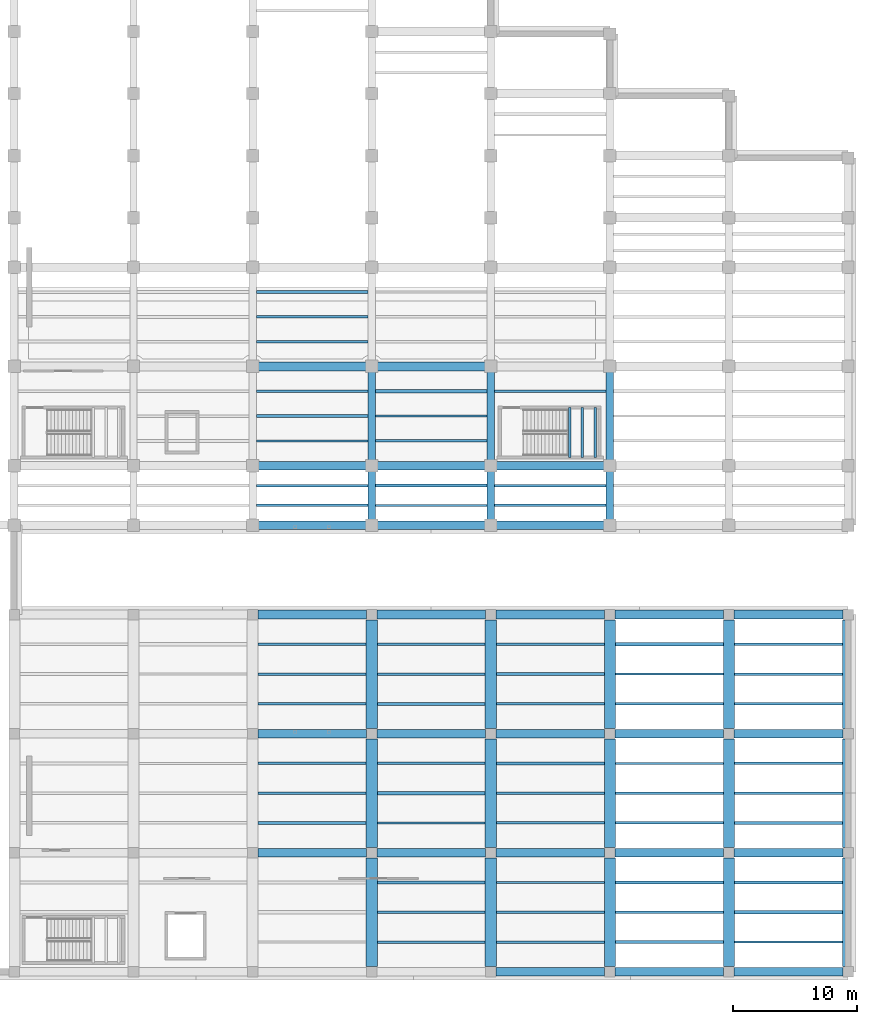
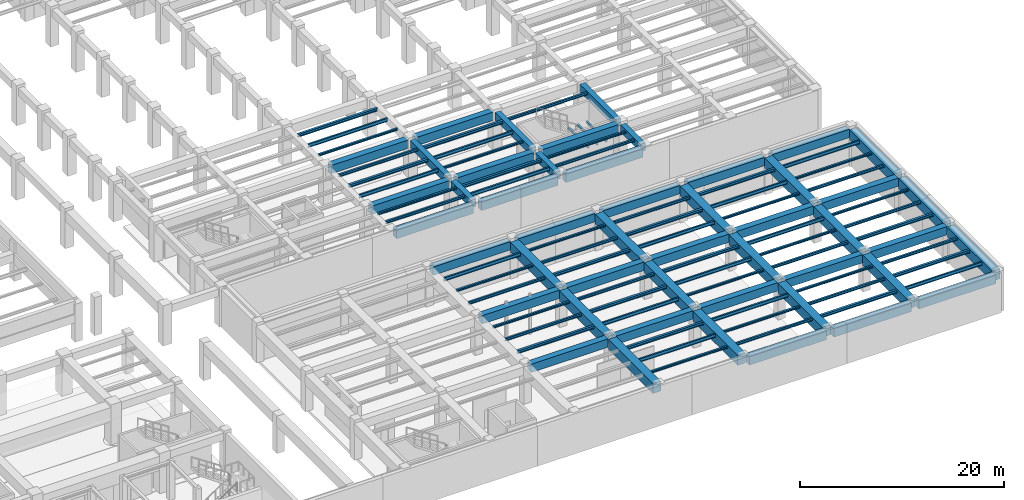
# One storey, part 20 of 45: 108 beams.
"""IFC4 building model written with IfcOpenShell, lengths in metres."""

from ifc_helpers import new_model, si_unit, direction, frame, origin, origin_2d, place, context, subcontext, project, spatial, rectangle, i_section, extrude, material, material_profile, profile_set, type_object, element, save


model = new_model("IFC4")

# Units and contexts
model_context = context("Model", 3, precision=1e-05, world=origin(), true_north=direction((0.0, 1.0)))
body_context = subcontext(model_context, "Body", "Model", "MODEL_VIEW")
ifc_project = project(units=[si_unit("LENGTHUNIT", "METRE"), si_unit("AREAUNIT", "SQUARE_METRE"), si_unit("VOLUMEUNIT", "CUBIC_METRE"), si_unit("PLANEANGLEUNIT", "RADIAN"), si_unit("MASSUNIT", "GRAM", prefix="KILO")], contexts=[model_context])

# Site, building, storey
site_placement = place(None, origin())
site = spatial("IfcSite", under=ifc_project, at=site_placement, CompositionType="ELEMENT")
building_placement = place(site_placement, origin())
building = spatial("IfcBuilding", under=site, at=building_placement, Name="Mavantir Sound Aquarium", CompositionType="ELEMENT")
storey_placement = place(building_placement, frame((0.0, 0.0, -4.800048828125)))
storey = spatial("IfcBuildingStorey", under=building, at=storey_placement, Name="B1", CompositionType="ELEMENT", Elevation=-4.800048828125)

# Beams
ifc_material_1 = material(Name="Concrete C40/50", Category="concrete")
ifc_material_profile_1 = material_profile(ifc_material_1, rectangle(XDim=0.60009765625, YDim=0.89990234375, at=origin_2d()), Name="RC 600X900")
ifc_profile_set_1 = profile_set([ifc_material_profile_1], Name="Concrete C40/50")
beam_type_1 = type_object("IfcBeamType", Name="BM-RC600X900-I", PredefinedType="BEAM", material=ifc_profile_set_1)
beam_1_placement = place(storey_placement, frame((136.800048828125, 36.449951171875, 4.01611328125), z_axis=(0.0, 1.0, 0.0), x_axis=(-1.0, 0.0, 0.0)))
element("IfcBeam", 1, at=beam_1_placement, inside=storey, type_object=beam_type_1, Name="B1 primary girder RCB-09 662", PredefinedType="BEAM", context=body_context, shape_type="SweptSolid", body=[
    extrude(rectangle(XDim=0.60009765625, YDim=0.89990234375, at=origin_2d()), origin(), (0.0, 0.0, 1.0), 3.900146484375),
])
beam_2_placement = place(storey_placement, frame((136.800048828125, 41.25, 4.01611328125), z_axis=(0.0, 1.0, 0.0), x_axis=(-1.0, 0.0, 0.0)))
element("IfcBeam", 2, at=beam_2_placement, inside=storey, type_object=beam_type_1, Name="B1 primary girder RCB-09 663", PredefinedType="BEAM", context=body_context, shape_type="SweptSolid", body=[
    extrude(rectangle(XDim=0.60009765625, YDim=0.89990234375, at=origin_2d()), origin(), (0.0, 0.0, 1.0), 7.10009765625),
])
beam_3_placement = place(storey_placement, frame((146.39990234375, 36.449951171875, 4.01611328125), z_axis=(0.0, 1.0, 0.0), x_axis=(-1.0, 0.0, 0.0)))
element("IfcBeam", 3, at=beam_3_placement, inside=storey, type_object=beam_type_1, Name="B1 primary girder RCB-09 671", PredefinedType="BEAM", context=body_context, shape_type="SweptSolid", body=[
    extrude(rectangle(XDim=0.60009765625, YDim=0.89990234375, at=origin_2d()), origin(), (0.0, 0.0, 1.0), 3.900146484375),
])
beam_4_placement = place(storey_placement, frame((146.39990234375, 41.25, 4.01611328125), z_axis=(0.0, 1.0, 0.0), x_axis=(-1.0, 0.0, 0.0)))
element("IfcBeam", 4, at=beam_4_placement, inside=storey, type_object=beam_type_1, Name="B1 primary girder RCB-09 672", PredefinedType="BEAM", context=body_context, shape_type="SweptSolid", body=[
    extrude(rectangle(XDim=0.60009765625, YDim=0.89990234375, at=origin_2d()), origin(), (0.0, 0.0, 1.0), 7.10009765625),
])
beam_5_placement = place(storey_placement, frame((156.0, 36.449951171875, 4.01611328125), z_axis=(0.0, 1.0, 0.0), x_axis=(-1.0, 0.0, 0.0)))
element("IfcBeam", 5, at=beam_5_placement, inside=storey, type_object=beam_type_1, Name="B1 primary girder RCB-09 679", PredefinedType="BEAM", context=body_context, shape_type="SweptSolid", body=[
    extrude(rectangle(XDim=0.60009765625, YDim=0.89990234375, at=origin_2d()), origin(), (0.0, 0.0, 1.0), 3.900146484375),
])
beam_6_placement = place(storey_placement, frame((156.0, 41.25, 4.0361328125), z_axis=(0.0, 1.0, 0.0), x_axis=(-1.0, 0.0, 0.0)))
element("IfcBeam", 6, at=beam_6_placement, inside=storey, type_object=beam_type_1, Name="B1 primary girder RCB-09 680", PredefinedType="BEAM", context=body_context, shape_type="SweptSolid", body=[
    extrude(rectangle(XDim=0.60009765625, YDim=0.89990234375, at=origin_2d()), origin(), (0.0, 0.0, 1.0), 7.10009765625),
])
ifc_material_profile_2 = material_profile(ifc_material_1, rectangle(XDim=0.699951171875, YDim=1.0, at=origin_2d()), Name="RC 700X1000")
ifc_profile_set_2 = profile_set([ifc_material_profile_2], Name="Concrete C40/50")
beam_type_2 = type_object("IfcBeamType", Name="BM-RC700X1000-E", PredefinedType="BEAM", material=ifc_profile_set_2)
beam_7_placement = place(storey_placement, frame((127.64990234375, 36.0, 3.966064453125), z_axis=(1.0, 0.0, 0.0), x_axis=(0.0, 1.0, 0.0)))
element("IfcBeam", 7, at=beam_7_placement, inside=storey, type_object=beam_type_2, Name="B1 primary beam RCB-10 586", PredefinedType="BEAM", context=body_context, shape_type="SweptSolid", body=[
    extrude(rectangle(XDim=0.699951171875, YDim=1.0, at=origin_2d()), origin(), (0.0, 0.0, 1.0), 8.7001953125),
])
for number, where, z_axis, x_axis, name in (
    (8, (137.25, 36.0, 3.966064453125), (1.0, 0.0, 0.0), (0.0, 1.0, 0.0), "B1 primary beam RCB-10 587"),
    (9, (146.85009765625, 36.0, 3.966064453125), (1.0, 0.0, 0.0), (0.0, 1.0, 0.0), "B1 primary beam RCB-10 588"),
):
    element("IfcBeam", number, at=place(storey_placement, frame(where, z_axis=z_axis, x_axis=x_axis)), inside=storey, type_object=beam_type_2, Name=name, PredefinedType="BEAM", context=body_context, shape_type="SweptSolid", body=[
        extrude(rectangle(XDim=0.699951171875, YDim=1.0, at=origin_2d()), origin(), (0.0, 0.0, 1.0), 8.699951171875),
    ])
for number, where, z_axis, x_axis, name in (
    (10, (146.824951171875, 0.0, 3.946044921875), (1.0, 0.0, 0.0), (0.0, 1.0, 0.0), "B1 primary beam RCB-10 741"),
    (11, (156.425048828125, 0.0, 3.946044921875), (1.0, 0.0, 0.0), (0.0, 1.0, 0.0), "B1 primary beam RCB-10 742"),
    (12, (166.02490234375, 0.0, 3.946044921875), (1.0, 0.0, 0.0), (0.0, 1.0, 0.0), "B1 primary beam RCB-10 743"),
    (13, (127.625, 28.800048828125, 3.946044921875), (1.0, 0.0, 0.0), (0.0, 1.0, 0.0), "B1 primary beam RCB-10 760"),
    (14, (137.22509765625, 28.800048828125, 3.946044921875), (1.0, 0.0, 0.0), (0.0, 1.0, 0.0), "B1 primary beam RCB-10 761"),
    (15, (146.824951171875, 28.800048828125, 3.946044921875), (1.0, 0.0, 0.0), (0.0, 1.0, 0.0), "B1 primary beam RCB-10 762"),
    (16, (156.425048828125, 28.800048828125, 3.946044921875), (1.0, 0.0, 0.0), (0.0, 1.0, 0.0), "B1 primary beam RCB-10 763"),
    (17, (166.02490234375, 28.800048828125, 3.946044921875), (1.0, 0.0, 0.0), (0.0, 1.0, 0.0), "B1 primary beam RCB-10 764"),
):
    element("IfcBeam", number, at=place(storey_placement, frame(where, z_axis=z_axis, x_axis=x_axis)), inside=storey, type_object=beam_type_2, Name=name, PredefinedType="BEAM", context=body_context, shape_type="SweptSolid", body=[
        extrude(rectangle(XDim=0.699951171875, YDim=1.0, at=origin_2d()), origin(), (0.0, 0.0, 1.0), 8.75),
    ])
ifc_material_profile_3 = material_profile(ifc_material_1, rectangle(XDim=0.699951171875, YDim=1.0, at=origin_2d()), Name="RC 700X1000")
ifc_profile_set_3 = profile_set([ifc_material_profile_3], Name="Concrete C40/50")
beam_type_3 = type_object("IfcBeamType", Name="BM-RC700X1000-I", PredefinedType="BEAM", material=ifc_profile_set_3)
beam_8_placement = place(storey_placement, frame((127.64990234375, 40.800048828125, 3.966064453125), z_axis=(1.0, 0.0, 0.0), x_axis=(0.0, 1.0, 0.0)))
element("IfcBeam", 18, at=beam_8_placement, inside=storey, type_object=beam_type_3, Name="B1 primary beam RCB-10 593", PredefinedType="BEAM", context=body_context, shape_type="SweptSolid", body=[
    extrude(rectangle(XDim=0.699951171875, YDim=1.0, at=origin_2d()), origin(), (0.0, 0.0, 1.0), 8.7001953125),
])
for number, where, z_axis, x_axis, name in (
    (19, (137.25, 40.800048828125, 3.966064453125), (1.0, 0.0, 0.0), (0.0, 1.0, 0.0), "B1 primary beam RCB-10 594"),
    (20, (146.85009765625, 40.800048828125, 3.966064453125), (1.0, 0.0, 0.0), (0.0, 1.0, 0.0), "B1 primary beam RCB-10 595"),
):
    element("IfcBeam", number, at=place(storey_placement, frame(where, z_axis=z_axis, x_axis=x_axis)), inside=storey, type_object=beam_type_3, Name=name, PredefinedType="BEAM", context=body_context, shape_type="SweptSolid", body=[
        extrude(rectangle(XDim=0.699951171875, YDim=1.0, at=origin_2d()), origin(), (0.0, 0.0, 1.0), 8.699951171875),
    ])
beam_9_placement = place(storey_placement, frame((127.64990234375, 48.800048828125, 3.986083984375), z_axis=(1.0, 0.0, 0.0), x_axis=(0.0, 1.0, 0.0)))
element("IfcBeam", 21, at=beam_9_placement, inside=storey, type_object=beam_type_3, Name="B1 primary beam RCB-10 600", PredefinedType="BEAM", context=body_context, shape_type="SweptSolid", body=[
    extrude(rectangle(XDim=0.699951171875, YDim=1.0, at=origin_2d()), origin(), (0.0, 0.0, 1.0), 8.7001953125),
])
beam_10_placement = place(storey_placement, frame((137.25, 48.800048828125, 3.966064453125), z_axis=(1.0, 0.0, 0.0), x_axis=(0.0, 1.0, 0.0)))
element("IfcBeam", 22, at=beam_10_placement, inside=storey, type_object=beam_type_3, Name="B1 primary beam RCB-10 601", PredefinedType="BEAM", context=body_context, shape_type="SweptSolid", body=[
    extrude(rectangle(XDim=0.699951171875, YDim=1.0, at=origin_2d()), origin(), (0.0, 0.0, 1.0), 8.699951171875),
])
for number, where, z_axis, x_axis, name in (
    (23, (127.625, 9.60009765625, 3.946044921875), (1.0, 0.0, 0.0), (0.0, 1.0, 0.0), "B1 primary beam RCB-10 746"),
    (24, (137.22509765625, 9.60009765625, 3.946044921875), (1.0, 0.0, 0.0), (0.0, 1.0, 0.0), "B1 primary beam RCB-10 747"),
    (25, (146.824951171875, 9.60009765625, 3.946044921875), (1.0, 0.0, 0.0), (0.0, 1.0, 0.0), "B1 primary beam RCB-10 748"),
    (26, (156.425048828125, 9.60009765625, 3.946044921875), (1.0, 0.0, 0.0), (0.0, 1.0, 0.0), "B1 primary beam RCB-10 749"),
    (27, (166.02490234375, 9.60009765625, 3.946044921875), (1.0, 0.0, 0.0), (0.0, 1.0, 0.0), "B1 primary beam RCB-10 750"),
    (28, (127.625, 19.199951171875, 3.946044921875), (1.0, 0.0, 0.0), (0.0, 1.0, 0.0), "B1 primary beam RCB-10 753"),
    (29, (137.22509765625, 19.199951171875, 3.946044921875), (1.0, 0.0, 0.0), (0.0, 1.0, 0.0), "B1 primary beam RCB-10 754"),
    (30, (146.824951171875, 19.199951171875, 3.946044921875), (1.0, 0.0, 0.0), (0.0, 1.0, 0.0), "B1 primary beam RCB-10 755"),
    (31, (156.425048828125, 19.199951171875, 3.946044921875), (1.0, 0.0, 0.0), (0.0, 1.0, 0.0), "B1 primary beam RCB-10 756"),
    (32, (166.02490234375, 19.199951171875, 3.946044921875), (1.0, 0.0, 0.0), (0.0, 1.0, 0.0), "B1 primary beam RCB-10 757"),
):
    element("IfcBeam", number, at=place(storey_placement, frame(where, z_axis=z_axis, x_axis=x_axis)), inside=storey, type_object=beam_type_3, Name=name, PredefinedType="BEAM", context=body_context, shape_type="SweptSolid", body=[
        extrude(rectangle(XDim=0.699951171875, YDim=1.0, at=origin_2d()), origin(), (0.0, 0.0, 1.0), 8.75),
    ])
ifc_material_profile_4 = material_profile(ifc_material_1, rectangle(XDim=0.89990234375, YDim=1.199951171875, at=origin_2d()), Name="RC 900X1200")
ifc_profile_set_4 = profile_set([ifc_material_profile_4], Name="Concrete C40/50")
beam_type_4 = type_object("IfcBeamType", Name="BM-RC900X1200-E", PredefinedType="BEAM", material=ifc_profile_set_4)
for number, where, z_axis, x_axis, name in (
    (33, (175.199951171875, 0.425048828125, 3.845947265625), (0.0, 1.0, 0.0), (-1.0, 0.0, 0.0), "B1 primary girder RCB-12 786"),
    (34, (175.199951171875, 10.02490234375, 3.845947265625), (0.0, 1.0, 0.0), (-1.0, 0.0, 0.0), "B1 primary girder RCB-12 787"),
    (35, (175.199951171875, 19.625, 3.845947265625), (0.0, 1.0, 0.0), (-1.0, 0.0, 0.0), "B1 primary girder RCB-12 788"),
):
    element("IfcBeam", number, at=place(storey_placement, frame(where, z_axis=z_axis, x_axis=x_axis)), inside=storey, type_object=beam_type_4, Name=name, PredefinedType="BEAM", context=body_context, shape_type="SweptSolid", body=[
        extrude(rectangle(XDim=0.89990234375, YDim=1.199951171875, at=origin_2d()), origin(), (0.0, 0.0, 1.0), 8.75),
    ])
ifc_material_profile_5 = material_profile(ifc_material_1, rectangle(XDim=0.89990234375, YDim=1.199951171875, at=origin_2d()), Name="RC 900X1200")
ifc_profile_set_5 = profile_set([ifc_material_profile_5], Name="Concrete C40/50")
beam_type_5 = type_object("IfcBeamType", Name="BM-RC900X1200-I", PredefinedType="BEAM", material=ifc_profile_set_5)
for number, where, z_axis, x_axis, name in (
    (36, (136.800048828125, 0.425048828125, 3.845947265625), (0.0, 1.0, 0.0), (-1.0, 0.0, 0.0), "B1 primary girder RCB-12 774"),
    (37, (136.800048828125, 10.02490234375, 3.845947265625), (0.0, 1.0, 0.0), (-1.0, 0.0, 0.0), "B1 primary girder RCB-12 775"),
    (38, (136.800048828125, 19.625, 3.845947265625), (0.0, 1.0, 0.0), (-1.0, 0.0, 0.0), "B1 primary girder RCB-12 776"),
    (39, (146.39990234375, 0.425048828125, 3.845947265625), (0.0, 1.0, 0.0), (-1.0, 0.0, 0.0), "B1 primary girder RCB-12 777"),
    (40, (146.39990234375, 10.02490234375, 3.845947265625), (0.0, 1.0, 0.0), (-1.0, 0.0, 0.0), "B1 primary girder RCB-12 778"),
    (41, (146.39990234375, 19.625, 3.845947265625), (0.0, 1.0, 0.0), (-1.0, 0.0, 0.0), "B1 primary girder RCB-12 779"),
    (42, (156.0, 0.425048828125, 3.845947265625), (0.0, 1.0, 0.0), (-1.0, 0.0, 0.0), "B1 primary girder RCB-12 780"),
    (43, (156.0, 10.02490234375, 3.845947265625), (0.0, 1.0, 0.0), (-1.0, 0.0, 0.0), "B1 primary girder RCB-12 781"),
    (44, (156.0, 19.625, 3.845947265625), (0.0, 1.0, 0.0), (-1.0, 0.0, 0.0), "B1 primary girder RCB-12 782"),
    (45, (165.60009765625, 0.425048828125, 3.845947265625), (0.0, 1.0, 0.0), (-1.0, 0.0, 0.0), "B1 primary girder RCB-12 783"),
    (46, (165.60009765625, 10.02490234375, 3.845947265625), (0.0, 1.0, 0.0), (-1.0, 0.0, 0.0), "B1 primary girder RCB-12 784"),
    (47, (165.60009765625, 19.625, 3.845947265625), (0.0, 1.0, 0.0), (-1.0, 0.0, 0.0), "B1 primary girder RCB-12 785"),
):
    element("IfcBeam", number, at=place(storey_placement, frame(where, z_axis=z_axis, x_axis=x_axis)), inside=storey, type_object=beam_type_5, Name=name, PredefinedType="BEAM", context=body_context, shape_type="SweptSolid", body=[
        extrude(rectangle(XDim=0.89990234375, YDim=1.199951171875, at=origin_2d()), origin(), (0.0, 0.0, 1.0), 8.75),
    ])
ifc_material_2 = material(Name="Structural Steel ASTM A992 Gr50", Category="steel")
ifc_material_profile_6 = material_profile(ifc_material_2, i_section(OverallWidth=0.202880859375, OverallDepth=0.202880859375, WebThickness=0.007080078125, FlangeThickness=0.010986328125, FilletRadius=0.010009765625, at=origin_2d()), Name="W200X46")
ifc_profile_set_6 = profile_set([ifc_material_profile_6], Name="Structural Steel ASTM A992 Gr50")
beam_type_6 = type_object("IfcBeamType", Name="BM-W200X46-I", PredefinedType="LINTEL", material=ifc_profile_set_6)
for number, where, z_axis, x_axis, name in (
    (48, (152.75, 41.47509765625, 2.095458984375), (0.0, 1.0, 0.0), (-1.0, 0.0, 0.0), "Stair ST12 landing support beam 70"),
    (49, (153.7900390625, 41.47509765625, 2.095458984375), (0.0, 1.0, 0.0), (-1.0, 0.0, 0.0), "Stair ST12 landing support beam 71"),
    (50, (154.830078125, 41.47509765625, 2.095458984375), (0.0, 1.0, 0.0), (-1.0, 0.0, 0.0), "Stair ST12 landing support beam 72"),
):
    element("IfcBeam", number, at=place(storey_placement, frame(where, z_axis=z_axis, x_axis=x_axis)), inside=storey, type_object=beam_type_6, Name=name, PredefinedType="LINTEL", context=body_context, shape_type="SweptSolid", body=[
        extrude(i_section(OverallWidth=0.202880859375, OverallDepth=0.202880859375, WebThickness=0.007080078125, FlangeThickness=0.010986328125, FilletRadius=0.010009765625, at=origin_2d()), origin(), (0.0, 0.0, 1.0), 4.0),
    ])
ifc_material_profile_7 = material_profile(ifc_material_2, i_section(OverallWidth=0.202880859375, OverallDepth=0.251953125, WebThickness=0.008056640625, FlangeThickness=0.013427734375, FilletRadius=0.011962890625, at=origin_2d()), Name="W250X58")
ifc_profile_set_7 = profile_set([ifc_material_profile_7], Name="Structural Steel ASTM A992 Gr50")
beam_type_7 = type_object("IfcBeamType", Name="BM-W250X58-I", PredefinedType="JOIST", material=ifc_profile_set_7)
for number, where, z_axis, x_axis, name in (
    (51, (127.5, 39.199951171875, 4.340087890625), (1.0, 0.0, 0.0), (0.0, 1.0, 0.0), "B1 secondary floor joist SJ-25 272"),
    (52, (146.699951171875, 39.199951171875, 4.340087890625), (1.0, 0.0, 0.0), (0.0, 1.0, 0.0), "B1 secondary floor joist SJ-25 276"),
    (53, (137.10009765625, 42.800048828125, 4.340087890625), (1.0, 0.0, 0.0), (0.0, 1.0, 0.0), "B1 secondary floor joist SJ-25 288"),
    (54, (127.5, 50.800048828125, 4.360107421875), (1.0, 0.0, 0.0), (0.0, 1.0, 0.0), "B1 secondary floor joist SJ-25 304"),
):
    element("IfcBeam", number, at=place(storey_placement, frame(where, z_axis=z_axis, x_axis=x_axis)), inside=storey, type_object=beam_type_7, Name=name, PredefinedType="JOIST", context=body_context, shape_type="SweptSolid", body=[
        extrude(i_section(OverallWidth=0.202880859375, OverallDepth=0.251953125, WebThickness=0.008056640625, FlangeThickness=0.013427734375, FilletRadius=0.011962890625, at=origin_2d()), origin(), (0.0, 0.0, 1.0), 9.0),
    ])
for number, where, z_axis, x_axis, name in (
    (55, (137.25, 2.39990234375, 4.320068359375), (1.0, 0.0, 0.0), (0.0, 1.0, 0.0), "B1 secondary floor joist SJ-25 380"),
    (56, (146.85009765625, 4.800048828125, 4.320068359375), (1.0, 0.0, 0.0), (0.0, 1.0, 0.0), "B1 secondary floor joist SJ-25 384"),
    (57, (156.449951171875, 7.199951171875, 4.320068359375), (1.0, 0.0, 0.0), (0.0, 1.0, 0.0), "B1 secondary floor joist SJ-25 388"),
):
    element("IfcBeam", number, at=place(storey_placement, frame(where, z_axis=z_axis, x_axis=x_axis)), inside=storey, type_object=beam_type_7, Name=name, PredefinedType="JOIST", context=body_context, shape_type="SweptSolid", body=[
        extrude(i_section(OverallWidth=0.202880859375, OverallDepth=0.251953125, WebThickness=0.008056640625, FlangeThickness=0.013427734375, FilletRadius=0.011962890625, at=origin_2d()), origin(), (0.0, 0.0, 1.0), 8.699951171875),
    ])
beam_11_placement = place(storey_placement, frame((127.64990234375, 16.800048828125, 4.320068359375), z_axis=(1.0, 0.0, 0.0), x_axis=(0.0, 1.0, 0.0)))
element("IfcBeam", 58, at=beam_11_placement, inside=storey, type_object=beam_type_7, Name="B1 secondary floor joist SJ-25 400", PredefinedType="JOIST", context=body_context, shape_type="SweptSolid", body=[
    extrude(i_section(OverallWidth=0.202880859375, OverallDepth=0.251953125, WebThickness=0.008056640625, FlangeThickness=0.013427734375, FilletRadius=0.011962890625, at=origin_2d()), origin(), (0.0, 0.0, 1.0), 8.7001953125),
])
for number, where, z_axis, x_axis, name in (
    (59, (146.85009765625, 12.0, 4.320068359375), (1.0, 0.0, 0.0), (0.0, 1.0, 0.0), "B1 secondary floor joist SJ-25 404"),
    (60, (156.449951171875, 14.39990234375, 4.320068359375), (1.0, 0.0, 0.0), (0.0, 1.0, 0.0), "B1 secondary floor joist SJ-25 408"),
    (61, (166.050048828125, 16.800048828125, 4.320068359375), (1.0, 0.0, 0.0), (0.0, 1.0, 0.0), "B1 secondary floor joist SJ-25 412"),
):
    element("IfcBeam", number, at=place(storey_placement, frame(where, z_axis=z_axis, x_axis=x_axis)), inside=storey, type_object=beam_type_7, Name=name, PredefinedType="JOIST", context=body_context, shape_type="SweptSolid", body=[
        extrude(i_section(OverallWidth=0.202880859375, OverallDepth=0.251953125, WebThickness=0.008056640625, FlangeThickness=0.013427734375, FilletRadius=0.011962890625, at=origin_2d()), origin(), (0.0, 0.0, 1.0), 8.699951171875),
    ])
beam_12_placement = place(storey_placement, frame((127.64990234375, 24.0, 4.320068359375), z_axis=(1.0, 0.0, 0.0), x_axis=(0.0, 1.0, 0.0)))
element("IfcBeam", 62, at=beam_12_placement, inside=storey, type_object=beam_type_7, Name="B1 secondary floor joist SJ-25 420", PredefinedType="JOIST", context=body_context, shape_type="SweptSolid", body=[
    extrude(i_section(OverallWidth=0.202880859375, OverallDepth=0.251953125, WebThickness=0.008056640625, FlangeThickness=0.013427734375, FilletRadius=0.011962890625, at=origin_2d()), origin(), (0.0, 0.0, 1.0), 8.7001953125),
])
for number, where, z_axis, x_axis, name in (
    (63, (137.25, 26.39990234375, 4.320068359375), (1.0, 0.0, 0.0), (0.0, 1.0, 0.0), "B1 secondary floor joist SJ-25 424"),
    (64, (156.449951171875, 21.60009765625, 4.320068359375), (1.0, 0.0, 0.0), (0.0, 1.0, 0.0), "B1 secondary floor joist SJ-25 428"),
    (65, (166.050048828125, 24.0, 4.320068359375), (1.0, 0.0, 0.0), (0.0, 1.0, 0.0), "B1 secondary floor joist SJ-25 432"),
):
    element("IfcBeam", number, at=place(storey_placement, frame(where, z_axis=z_axis, x_axis=x_axis)), inside=storey, type_object=beam_type_7, Name=name, PredefinedType="JOIST", context=body_context, shape_type="SweptSolid", body=[
        extrude(i_section(OverallWidth=0.202880859375, OverallDepth=0.251953125, WebThickness=0.008056640625, FlangeThickness=0.013427734375, FilletRadius=0.011962890625, at=origin_2d()), origin(), (0.0, 0.0, 1.0), 8.699951171875),
    ])
ifc_material_profile_8 = material_profile(ifc_material_2, i_section(OverallWidth=0.205078125, OverallDepth=0.31005859375, WebThickness=0.009521484375, FlangeThickness=0.016357421875, FilletRadius=0.012939453125, at=origin_2d()), Name="W310X74")
ifc_profile_set_8 = profile_set([ifc_material_profile_8], Name="Structural Steel ASTM A992 Gr50")
beam_type_8 = type_object("IfcBeamType", Name="BM-W310X74-I", PredefinedType="JOIST", material=ifc_profile_set_8)
for number, where, z_axis, x_axis, name in (
    (66, (127.5, 37.60009765625, 4.31103515625), (1.0, 0.0, 0.0), (0.0, 1.0, 0.0), "B1 secondary floor joist SJ-31 271"),
    (67, (146.699951171875, 37.60009765625, 4.31103515625), (1.0, 0.0, 0.0), (0.0, 1.0, 0.0), "B1 secondary floor joist SJ-31 275"),
    (68, (127.5, 46.800048828125, 4.3310546875), (1.0, 0.0, 0.0), (0.0, 1.0, 0.0), "B1 secondary floor joist SJ-31 287"),
    (69, (146.699951171875, 46.800048828125, 4.35107421875), (1.0, 0.0, 0.0), (0.0, 1.0, 0.0), "B1 secondary floor joist SJ-31 291"),
):
    element("IfcBeam", number, at=place(storey_placement, frame(where, z_axis=z_axis, x_axis=x_axis)), inside=storey, type_object=beam_type_8, Name=name, PredefinedType="JOIST", context=body_context, shape_type="SweptSolid", body=[
        extrude(i_section(OverallWidth=0.205078125, OverallDepth=0.31005859375, WebThickness=0.009521484375, FlangeThickness=0.016357421875, FilletRadius=0.012939453125, at=origin_2d()), origin(), (0.0, 0.0, 1.0), 9.0),
    ])
for number, where, z_axis, x_axis, name in (
    (70, (146.85009765625, 2.39990234375, 4.291015625), (1.0, 0.0, 0.0), (0.0, 1.0, 0.0), "B1 secondary floor joist SJ-31 383"),
    (71, (156.449951171875, 4.800048828125, 4.291015625), (1.0, 0.0, 0.0), (0.0, 1.0, 0.0), "B1 secondary floor joist SJ-31 387"),
    (72, (166.050048828125, 7.199951171875, 4.291015625), (1.0, 0.0, 0.0), (0.0, 1.0, 0.0), "B1 secondary floor joist SJ-31 391"),
):
    element("IfcBeam", number, at=place(storey_placement, frame(where, z_axis=z_axis, x_axis=x_axis)), inside=storey, type_object=beam_type_8, Name=name, PredefinedType="JOIST", context=body_context, shape_type="SweptSolid", body=[
        extrude(i_section(OverallWidth=0.205078125, OverallDepth=0.31005859375, WebThickness=0.009521484375, FlangeThickness=0.016357421875, FilletRadius=0.012939453125, at=origin_2d()), origin(), (0.0, 0.0, 1.0), 8.699951171875),
    ])
beam_13_placement = place(storey_placement, frame((127.64990234375, 14.39990234375, 4.291015625), z_axis=(1.0, 0.0, 0.0), x_axis=(0.0, 1.0, 0.0)))
element("IfcBeam", 73, at=beam_13_placement, inside=storey, type_object=beam_type_8, Name="B1 secondary floor joist SJ-31 399", PredefinedType="JOIST", context=body_context, shape_type="SweptSolid", body=[
    extrude(i_section(OverallWidth=0.205078125, OverallDepth=0.31005859375, WebThickness=0.009521484375, FlangeThickness=0.016357421875, FilletRadius=0.012939453125, at=origin_2d()), origin(), (0.0, 0.0, 1.0), 8.7001953125),
])
for number, where, z_axis, x_axis, name in (
    (74, (137.25, 16.800048828125, 4.291015625), (1.0, 0.0, 0.0), (0.0, 1.0, 0.0), "B1 secondary floor joist SJ-31 403"),
    (75, (156.449951171875, 12.0, 4.291015625), (1.0, 0.0, 0.0), (0.0, 1.0, 0.0), "B1 secondary floor joist SJ-31 407"),
    (76, (166.050048828125, 14.39990234375, 4.291015625), (1.0, 0.0, 0.0), (0.0, 1.0, 0.0), "B1 secondary floor joist SJ-31 411"),
):
    element("IfcBeam", number, at=place(storey_placement, frame(where, z_axis=z_axis, x_axis=x_axis)), inside=storey, type_object=beam_type_8, Name=name, PredefinedType="JOIST", context=body_context, shape_type="SweptSolid", body=[
        extrude(i_section(OverallWidth=0.205078125, OverallDepth=0.31005859375, WebThickness=0.009521484375, FlangeThickness=0.016357421875, FilletRadius=0.012939453125, at=origin_2d()), origin(), (0.0, 0.0, 1.0), 8.699951171875),
    ])
beam_14_placement = place(storey_placement, frame((127.64990234375, 21.60009765625, 4.291015625), z_axis=(1.0, 0.0, 0.0), x_axis=(0.0, 1.0, 0.0)))
element("IfcBeam", 77, at=beam_14_placement, inside=storey, type_object=beam_type_8, Name="B1 secondary floor joist SJ-31 419", PredefinedType="JOIST", context=body_context, shape_type="SweptSolid", body=[
    extrude(i_section(OverallWidth=0.205078125, OverallDepth=0.31005859375, WebThickness=0.009521484375, FlangeThickness=0.016357421875, FilletRadius=0.012939453125, at=origin_2d()), origin(), (0.0, 0.0, 1.0), 8.7001953125),
])
for number, where, z_axis, x_axis, name in (
    (78, (137.25, 24.0, 4.291015625), (1.0, 0.0, 0.0), (0.0, 1.0, 0.0), "B1 secondary floor joist SJ-31 423"),
    (79, (146.85009765625, 26.39990234375, 4.291015625), (1.0, 0.0, 0.0), (0.0, 1.0, 0.0), "B1 secondary floor joist SJ-31 427"),
    (80, (166.050048828125, 21.60009765625, 4.291015625), (1.0, 0.0, 0.0), (0.0, 1.0, 0.0), "B1 secondary floor joist SJ-31 431"),
):
    element("IfcBeam", number, at=place(storey_placement, frame(where, z_axis=z_axis, x_axis=x_axis)), inside=storey, type_object=beam_type_8, Name=name, PredefinedType="JOIST", context=body_context, shape_type="SweptSolid", body=[
        extrude(i_section(OverallWidth=0.205078125, OverallDepth=0.31005859375, WebThickness=0.009521484375, FlangeThickness=0.016357421875, FilletRadius=0.012939453125, at=origin_2d()), origin(), (0.0, 0.0, 1.0), 8.699951171875),
    ])
ifc_material_profile_9 = material_profile(ifc_material_2, i_section(OverallWidth=0.25390625, OverallDepth=0.35302734375, WebThickness=0.009521484375, FlangeThickness=0.016357421875, FilletRadius=0.014892578125, at=origin_2d()), Name="W360X91")
ifc_profile_set_9 = profile_set([ifc_material_profile_9], Name="Structural Steel ASTM A992 Gr50")
beam_type_9 = type_object("IfcBeamType", Name="BM-W360X91-I", PredefinedType="JOIST", material=ifc_profile_set_9)
for number, where, z_axis, x_axis, name in (
    (81, (137.10009765625, 39.199951171875, 4.28955078125), (1.0, 0.0, 0.0), (0.0, 1.0, 0.0), "B1 secondary floor joist SJ-36 274"),
    (82, (127.5, 44.800048828125, 4.3095703125), (1.0, 0.0, 0.0), (0.0, 1.0, 0.0), "B1 secondary floor joist SJ-36 286"),
    (83, (137.10009765625, 46.800048828125, 4.28955078125), (1.0, 0.0, 0.0), (0.0, 1.0, 0.0), "B1 secondary floor joist SJ-36 290"),
    (84, (127.5, 54.800048828125, 4.3095703125), (1.0, 0.0, 0.0), (0.0, 1.0, 0.0), "B1 secondary floor joist SJ-36 306"),
):
    element("IfcBeam", number, at=place(storey_placement, frame(where, z_axis=z_axis, x_axis=x_axis)), inside=storey, type_object=beam_type_9, Name=name, PredefinedType="JOIST", context=body_context, shape_type="SweptSolid", body=[
        extrude(i_section(OverallWidth=0.25390625, OverallDepth=0.35302734375, WebThickness=0.009521484375, FlangeThickness=0.016357421875, FilletRadius=0.014892578125, at=origin_2d()), origin(), (0.0, 0.0, 1.0), 9.0),
    ])
for number, where, z_axis, x_axis, name in (
    (85, (137.25, 7.199951171875, 4.26953125), (1.0, 0.0, 0.0), (0.0, 1.0, 0.0), "B1 secondary floor joist SJ-36 382"),
    (86, (156.449951171875, 2.39990234375, 4.26953125), (1.0, 0.0, 0.0), (0.0, 1.0, 0.0), "B1 secondary floor joist SJ-36 386"),
    (87, (166.050048828125, 4.800048828125, 4.26953125), (1.0, 0.0, 0.0), (0.0, 1.0, 0.0), "B1 secondary floor joist SJ-36 390"),
):
    element("IfcBeam", number, at=place(storey_placement, frame(where, z_axis=z_axis, x_axis=x_axis)), inside=storey, type_object=beam_type_9, Name=name, PredefinedType="JOIST", context=body_context, shape_type="SweptSolid", body=[
        extrude(i_section(OverallWidth=0.25390625, OverallDepth=0.35302734375, WebThickness=0.009521484375, FlangeThickness=0.016357421875, FilletRadius=0.014892578125, at=origin_2d()), origin(), (0.0, 0.0, 1.0), 8.699951171875),
    ])
beam_15_placement = place(storey_placement, frame((127.64990234375, 12.0, 4.26953125), z_axis=(1.0, 0.0, 0.0), x_axis=(0.0, 1.0, 0.0)))
element("IfcBeam", 88, at=beam_15_placement, inside=storey, type_object=beam_type_9, Name="B1 secondary floor joist SJ-36 398", PredefinedType="JOIST", context=body_context, shape_type="SweptSolid", body=[
    extrude(i_section(OverallWidth=0.25390625, OverallDepth=0.35302734375, WebThickness=0.009521484375, FlangeThickness=0.016357421875, FilletRadius=0.014892578125, at=origin_2d()), origin(), (0.0, 0.0, 1.0), 8.7001953125),
])
for number, where, z_axis, x_axis, name in (
    (89, (137.25, 14.39990234375, 4.26953125), (1.0, 0.0, 0.0), (0.0, 1.0, 0.0), "B1 secondary floor joist SJ-36 402"),
    (90, (146.85009765625, 16.800048828125, 4.26953125), (1.0, 0.0, 0.0), (0.0, 1.0, 0.0), "B1 secondary floor joist SJ-36 406"),
    (91, (166.050048828125, 12.0, 4.26953125), (1.0, 0.0, 0.0), (0.0, 1.0, 0.0), "B1 secondary floor joist SJ-36 410"),
    (92, (137.25, 21.60009765625, 4.26953125), (1.0, 0.0, 0.0), (0.0, 1.0, 0.0), "B1 secondary floor joist SJ-36 422"),
    (93, (146.85009765625, 24.0, 4.26953125), (1.0, 0.0, 0.0), (0.0, 1.0, 0.0), "B1 secondary floor joist SJ-36 426"),
    (94, (156.449951171875, 26.39990234375, 4.26953125), (1.0, 0.0, 0.0), (0.0, 1.0, 0.0), "B1 secondary floor joist SJ-36 430"),
):
    element("IfcBeam", number, at=place(storey_placement, frame(where, z_axis=z_axis, x_axis=x_axis)), inside=storey, type_object=beam_type_9, Name=name, PredefinedType="JOIST", context=body_context, shape_type="SweptSolid", body=[
        extrude(i_section(OverallWidth=0.25390625, OverallDepth=0.35302734375, WebThickness=0.009521484375, FlangeThickness=0.016357421875, FilletRadius=0.014892578125, at=origin_2d()), origin(), (0.0, 0.0, 1.0), 8.699951171875),
    ])
ifc_material_profile_10 = material_profile(ifc_material_2, i_section(OverallWidth=0.180908203125, OverallDepth=0.4169921875, WebThickness=0.010986328125, FlangeThickness=0.018310546875, FilletRadius=0.014892578125, at=origin_2d()), Name="W410X85")
ifc_profile_set_10 = profile_set([ifc_material_profile_10], Name="Structural Steel ASTM A992 Gr50")
beam_type_10 = type_object("IfcBeamType", Name="BM-W410X85-I", PredefinedType="JOIST", material=ifc_profile_set_10)
for number, where, z_axis, x_axis, name in (
    (95, (137.10009765625, 37.60009765625, 4.257568359375), (1.0, 0.0, 0.0), (0.0, 1.0, 0.0), "B1 secondary floor joist SJ-41 273"),
    (96, (127.5, 42.800048828125, 4.277587890625), (1.0, 0.0, 0.0), (0.0, 1.0, 0.0), "B1 secondary floor joist SJ-41 285"),
    (97, (137.10009765625, 44.800048828125, 4.257568359375), (1.0, 0.0, 0.0), (0.0, 1.0, 0.0), "B1 secondary floor joist SJ-41 289"),
    (98, (127.5, 52.800048828125, 4.277587890625), (1.0, 0.0, 0.0), (0.0, 1.0, 0.0), "B1 secondary floor joist SJ-41 305"),
):
    element("IfcBeam", number, at=place(storey_placement, frame(where, z_axis=z_axis, x_axis=x_axis)), inside=storey, type_object=beam_type_10, Name=name, PredefinedType="JOIST", context=body_context, shape_type="SweptSolid", body=[
        extrude(i_section(OverallWidth=0.180908203125, OverallDepth=0.4169921875, WebThickness=0.010986328125, FlangeThickness=0.018310546875, FilletRadius=0.014892578125, at=origin_2d()), origin(), (0.0, 0.0, 1.0), 9.0),
    ])
for number, where, z_axis, x_axis, name in (
    (99, (137.25, 4.800048828125, 4.237548828125), (1.0, 0.0, 0.0), (0.0, 1.0, 0.0), "B1 secondary floor joist SJ-41 381"),
    (100, (146.85009765625, 7.199951171875, 4.237548828125), (1.0, 0.0, 0.0), (0.0, 1.0, 0.0), "B1 secondary floor joist SJ-41 385"),
    (101, (166.050048828125, 2.39990234375, 4.237548828125), (1.0, 0.0, 0.0), (0.0, 1.0, 0.0), "B1 secondary floor joist SJ-41 389"),
    (102, (137.25, 12.0, 4.237548828125), (1.0, 0.0, 0.0), (0.0, 1.0, 0.0), "B1 secondary floor joist SJ-41 401"),
    (103, (146.85009765625, 14.39990234375, 4.237548828125), (1.0, 0.0, 0.0), (0.0, 1.0, 0.0), "B1 secondary floor joist SJ-41 405"),
    (104, (156.449951171875, 16.800048828125, 4.237548828125), (1.0, 0.0, 0.0), (0.0, 1.0, 0.0), "B1 secondary floor joist SJ-41 409"),
):
    element("IfcBeam", number, at=place(storey_placement, frame(where, z_axis=z_axis, x_axis=x_axis)), inside=storey, type_object=beam_type_10, Name=name, PredefinedType="JOIST", context=body_context, shape_type="SweptSolid", body=[
        extrude(i_section(OverallWidth=0.180908203125, OverallDepth=0.4169921875, WebThickness=0.010986328125, FlangeThickness=0.018310546875, FilletRadius=0.014892578125, at=origin_2d()), origin(), (0.0, 0.0, 1.0), 8.699951171875),
    ])
beam_16_placement = place(storey_placement, frame((127.64990234375, 26.39990234375, 4.237548828125), z_axis=(1.0, 0.0, 0.0), x_axis=(0.0, 1.0, 0.0)))
element("IfcBeam", 105, at=beam_16_placement, inside=storey, type_object=beam_type_10, Name="B1 secondary floor joist SJ-41 421", PredefinedType="JOIST", context=body_context, shape_type="SweptSolid", body=[
    extrude(i_section(OverallWidth=0.180908203125, OverallDepth=0.4169921875, WebThickness=0.010986328125, FlangeThickness=0.018310546875, FilletRadius=0.014892578125, at=origin_2d()), origin(), (0.0, 0.0, 1.0), 8.7001953125),
])
for number, where, z_axis, x_axis, name in (
    (106, (146.85009765625, 21.60009765625, 4.237548828125), (1.0, 0.0, 0.0), (0.0, 1.0, 0.0), "B1 secondary floor joist SJ-41 425"),
    (107, (156.449951171875, 24.0, 4.237548828125), (1.0, 0.0, 0.0), (0.0, 1.0, 0.0), "B1 secondary floor joist SJ-41 429"),
    (108, (166.050048828125, 26.39990234375, 4.237548828125), (1.0, 0.0, 0.0), (0.0, 1.0, 0.0), "B1 secondary floor joist SJ-41 433"),
):
    element("IfcBeam", number, at=place(storey_placement, frame(where, z_axis=z_axis, x_axis=x_axis)), inside=storey, type_object=beam_type_10, Name=name, PredefinedType="JOIST", context=body_context, shape_type="SweptSolid", body=[
        extrude(i_section(OverallWidth=0.180908203125, OverallDepth=0.4169921875, WebThickness=0.010986328125, FlangeThickness=0.018310546875, FilletRadius=0.014892578125, at=origin_2d()), origin(), (0.0, 0.0, 1.0), 8.699951171875),
    ])

save(model, "model.ifc")
